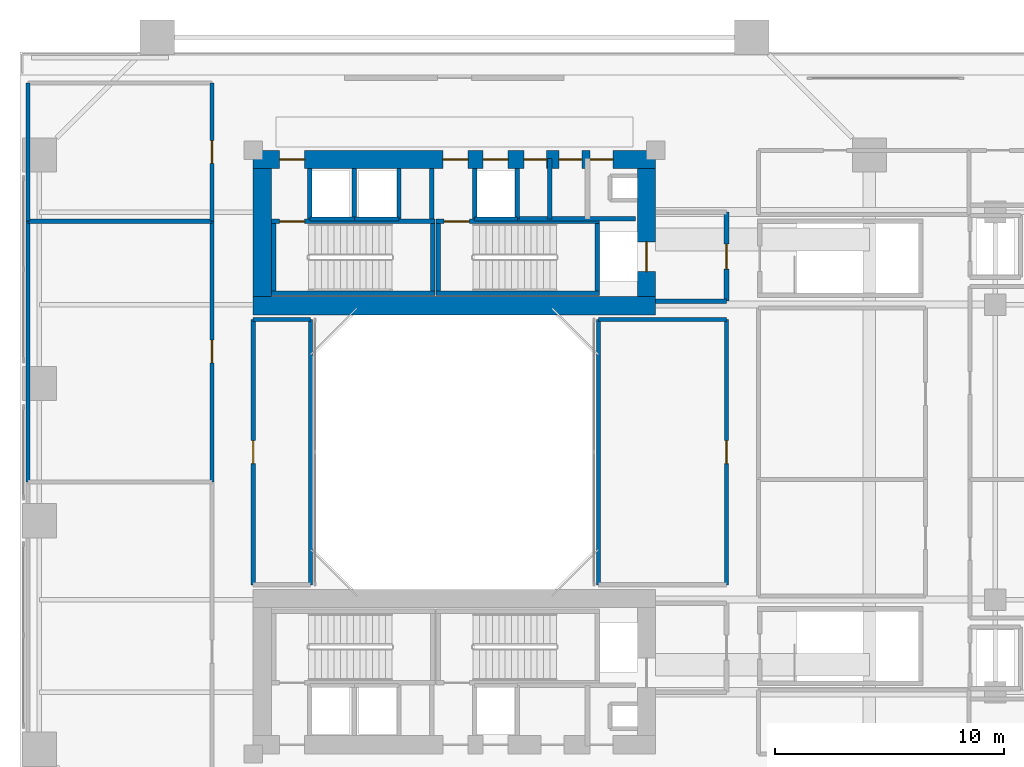
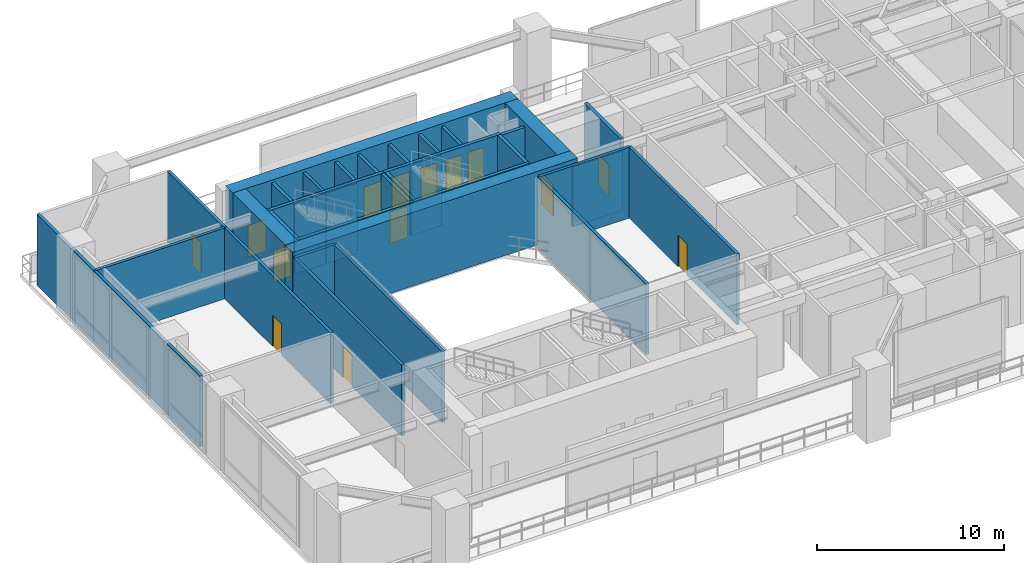
# One storey, part 12 of 19: 36 walls, 14 doors, 14 openings.
"""IFC4 building model written with IfcOpenShell, lengths in metres."""

from ifc_helpers import new_model, si_unit, direction, frame, frame_2d, origin, place, context, subcontext, project, spatial, rectangle, extrude, source, transform, mapped, material, layer, layer_set, type_object, element, fill, save


model = new_model("IFC4")

# Units and contexts
model_context = context("Model", 3, precision=1e-05, world=origin(), true_north=direction((0.0, 1.0)))
body_context = subcontext(model_context, "Body", "Model", "MODEL_VIEW")
ifc_project = project(units=[si_unit("LENGTHUNIT", "METRE"), si_unit("AREAUNIT", "SQUARE_METRE"), si_unit("VOLUMEUNIT", "CUBIC_METRE"), si_unit("PLANEANGLEUNIT", "RADIAN"), si_unit("MASSUNIT", "GRAM", prefix="KILO"), si_unit("THERMODYNAMICTEMPERATUREUNIT", "KELVIN"), si_unit("POWERUNIT", "WATT")], contexts=[model_context])

# Site, building, storey
site_placement = place(None, origin())
site = spatial("IfcSite", under=ifc_project, at=site_placement, CompositionType="ELEMENT")
building_placement = place(site_placement, origin())
building = spatial("IfcBuilding", under=site, at=building_placement, Name="Qiaomeng Ring Towers", CompositionType="ELEMENT")
storey_placement = place(building_placement, frame((0.0, 0.0, 18.199951171875)))
storey = spatial("IfcBuildingStorey", under=building, at=storey_placement, Name="L04", CompositionType="ELEMENT", Elevation=18.199951171875)

# Wall
ifc_material_1 = material(Name="Autoclaved aerated concrete block", Category="concrete")
ifc_layer_1 = layer(ifc_material_1, 0.199951171875, Name="Autoclaved aerated concrete block")
ifc_layer_set_1 = layer_set([ifc_layer_1], Name="Autoclaved aerated concrete block")
wall_type_1 = type_object("IfcWallType", Name="ARC-WL-PW1", PredefinedType="PARTITIONING", material=ifc_layer_set_1)
wall_1_placement = place(storey_placement, frame((27.800048828125, 29.60009765625, 0.0), z_axis=(0.0, 0.0, 1.0), x_axis=(1.0, 0.0, 0.0)))
element("IfcWall", 1, at=wall_1_placement, inside=storey, type_object=wall_type_1, Name="L04 Interior Wall PW1", PredefinedType="PARTITIONING", context=body_context, shape_type="SweptSolid", body=[
    extrude(rectangle(XDim=3.099853515625, YDim=0.199951171875, at=frame_2d((1.5498046875, 0.0))), origin(), (0.0, 0.0, 1.0), 3.9150390625),
])

# Wall, opening, door
wall_2_placement = place(storey_placement, frame((30.89990234375, 29.60009765625, 0.0), z_axis=(0.0, 0.0, 1.0), x_axis=(0.0, 1.0, 0.0)))
wall_2 = element("IfcWall", 2, at=wall_2_placement, inside=storey, type_object=wall_type_1, Name="L04 Interior Wall PW1", PredefinedType="PARTITIONING", context=body_context, shape_type="SweptSolid", body=[
    extrude(rectangle(XDim=3.89990234375, YDim=0.199951171875, at=frame_2d((1.949951171875, 0.0))), origin(), (0.0, 0.0, 1.0), 4.6201171875),
])
opening_1_placement = place(wall_2_placement, frame((1.39990234375, 0.0, 0.0)))
opening_1 = element("IfcOpeningElement", 3, at=opening_1_placement, cuts=wall_2, Name="Opening FD3", PredefinedType="OPENING", context=body_context, shape_type="SweptSolid", body=[
    extrude(rectangle(XDim=1.10009765625, YDim=2.050048828125, at=frame_2d((0.550048828125, 1.02490234375))), frame((0.0, 0.10986328125, 0.0), z_axis=(0.0, -1.0, 0.0), x_axis=(1.0, 0.0, 0.0)), (0.0, 0.0, 1.0), 0.219970703125),
])
ifc_material_2 = material(Name="Galvanised steel", Category="steel")
door_type_1 = type_object("IfcDoorType", Name="ARC-DR-FD3", OperationType="NOTDEFINED", PredefinedType="DOOR", material=ifc_material_2)
shared_shape_1 = source(origin(), body_context, "Body", "SweptSolid", [
    extrude(rectangle(XDim=1.10009765625, YDim=2.050048828125, at=frame_2d((0.550048828125, 1.02490234375))), frame((0.0, 0.02490234375, 0.0), z_axis=(0.0, -1.0, 0.0), x_axis=(1.0, 0.0, 0.0)), (0.0, 0.0, 1.0), 0.050048828125),
])
door_1_placement = place(opening_1_placement, origin())
door_1 = element("IfcDoor", 4, at=door_1_placement, inside=storey, type_object=door_type_1, Name="L04 North FF Lobby Door", OperationType="SINGLE_SWING_LEFT", OverallHeight=2.050048828125, OverallWidth=1.10009765625, PredefinedType="DOOR", context=body_context, shape_type="MappedRepresentation", body=[
    mapped(shared_shape_1, transform((0.0, 0.0, 0.0), x_axis=(1.0, 0.0, 0.0), y_axis=(0.0, 1.0, 0.0), z_axis=(0.0, 0.0, 1.0), scale=1.0)),
])
fill(opening_1, door_1)

# Walls
for number, where, z_axis, x_axis, name in (
    (5, (12.679931640625, 33.18994140625, 0.0), (0.0, 0.0, 1.0), (0.0, 1.0, 0.0), "L04 Interior Wall PW1"),
    (6, (18.0, 33.18994140625, 0.0), (0.0, 0.0, 1.0), (0.0, 1.0, 0.0), "L04 Interior Wall PW1"),
    (7, (19.8798828125, 33.18994140625, 0.0), (0.0, 0.0, 1.0), (0.0, 1.0, 0.0), "L04 Interior Wall PW1"),
):
    element("IfcWall", number, at=place(storey_placement, frame(where, z_axis=z_axis, x_axis=x_axis)), inside=storey, type_object=wall_type_1, Name=name, PredefinedType="PARTITIONING", context=body_context, shape_type="SweptSolid", body=[
        extrude(rectangle(XDim=2.2099609375, YDim=0.199951171875, at=frame_2d((1.10498046875, 0.0))), origin(), (0.0, 0.0, 1.0), 4.6201171875),
    ])
wall_3_placement = place(storey_placement, frame((21.75, 33.199951171875, 0.0), z_axis=(0.0, 0.0, 1.0), x_axis=(0.0, 1.0, 0.0)))
element("IfcWall", 8, at=wall_3_placement, inside=storey, type_object=wall_type_1, Name="L04 Interior Wall PW1", PredefinedType="PARTITIONING", context=body_context, shape_type="SweptSolid", body=[
    extrude(rectangle(XDim=2.199951171875, YDim=0.199951171875, at=frame_2d((1.10009765625, 0.0))), origin(), (0.0, 0.0, 1.0), 4.6201171875),
])
wall_4_placement = place(storey_placement, frame((23.169921875, 33.199951171875, 0.0), z_axis=(0.0, 0.0, 1.0), x_axis=(0.0, 1.0, 0.0)))
element("IfcWall", 9, at=wall_4_placement, inside=storey, type_object=wall_type_1, Name="L04 Interior Wall PW1", PredefinedType="PARTITIONING", context=body_context, shape_type="SweptSolid", body=[
    extrude(rectangle(XDim=2.650146484375, YDim=0.199951171875, at=frame_2d((1.3251953125, 0.0))), origin(), (0.0, 0.0, 1.0), 4.6201171875),
])
wall_5_placement = place(storey_placement, frame((21.75, 33.199951171875, 0.0), z_axis=(0.0, 0.0, 1.0), x_axis=(1.0, 0.0, 0.0)))
element("IfcWall", 10, at=wall_5_placement, inside=storey, type_object=wall_type_1, Name="L04 Interior Wall PW1", PredefinedType="PARTITIONING", context=body_context, shape_type="SweptSolid", body=[
    extrude(rectangle(XDim=5.169921875, YDim=0.199951171875, at=frame_2d((2.5849609375, 0.0))), origin(), (0.0, 0.0, 1.0), 4.6201171875),
])
ifc_layer_2 = layer(ifc_material_1, 0.179931640625, Name="Autoclaved aerated concrete block")
ifc_layer_set_2 = layer_set([ifc_layer_2], Name="Autoclaved aerated concrete block")
wall_type_2 = type_object("IfcWallType", Name="ARC-WL-PW2", PredefinedType="PARTITIONING", material=ifc_layer_set_2)
wall_6_placement = place(storey_placement, frame((0.35009765625, 33.10009765625, 0.0), z_axis=(0.0, 0.0, 1.0), x_axis=(1.0, 0.0, 0.0)))
element("IfcWall", 11, at=wall_6_placement, inside=storey, type_object=wall_type_2, Name="L04 Interior Wall PW2", PredefinedType="PARTITIONING", context=body_context, shape_type="SweptSolid", body=[
    extrude(rectangle(XDim=8.0498046875, YDim=0.179931640625, at=frame_2d((4.02490234375, 0.0))), origin(), (0.0, 0.0, 1.0), 4.6201171875),
])
wall_7_placement = place(storey_placement, frame((0.35009765625, 21.699951171875, 0.0), z_axis=(0.0, 0.0, 1.0), x_axis=(0.0, 1.0, 0.0)))
element("IfcWall", 12, at=wall_7_placement, inside=storey, type_object=wall_type_2, Name="L04 Interior Wall PW2", PredefinedType="PARTITIONING", context=body_context, shape_type="SweptSolid", body=[
    extrude(rectangle(XDim=11.400146484375, YDim=0.179931640625, at=frame_2d((5.7001953125, 0.0))), origin(), (0.0, 0.0, 1.0), 4.6201171875),
])

# Wall, opening, door
wall_8_placement = place(storey_placement, frame((8.39990234375, 21.699951171875, 0.0), z_axis=(0.0, 0.0, 1.0), x_axis=(0.0, 1.0, 0.0)))
wall_8 = element("IfcWall", 13, at=wall_8_placement, inside=storey, type_object=wall_type_2, Name="L04 Interior Wall PW2", PredefinedType="PARTITIONING", context=body_context, shape_type="SweptSolid", body=[
    extrude(rectangle(XDim=11.400146484375, YDim=0.179931640625, at=frame_2d((5.7001953125, 0.0))), origin(), (0.0, 0.0, 1.0), 4.6201171875),
])
opening_2_placement = place(wall_8_placement, frame((5.199951171875, 0.0, 0.0)))
opening_2 = element("IfcOpeningElement", 14, at=opening_2_placement, cuts=wall_8, Name="Opening FD4", PredefinedType="OPENING", context=body_context, shape_type="SweptSolid", body=[
    extrude(rectangle(XDim=1.0, YDim=2.050048828125, at=frame_2d((0.5, 1.02490234375))), frame((0.0, 0.099853515625, 0.0), z_axis=(0.0, -1.0, 0.0), x_axis=(1.0, 0.0, 0.0)), (0.0, 0.0, 1.0), 0.199951171875),
])
ifc_material_3 = material(Name="Engineered fire-rated oak timber", Category="wood")
door_type_2 = type_object("IfcDoorType", Name="ARC-DR-FD4", OperationType="NOTDEFINED", PredefinedType="DOOR", material=ifc_material_3)
shared_shape_2 = source(origin(), body_context, "Body", "SweptSolid", [
    extrude(rectangle(XDim=1.0, YDim=2.050048828125, at=frame_2d((0.5, 1.02490234375))), frame((0.0, 0.02490234375, 0.0), z_axis=(0.0, -1.0, 0.0), x_axis=(1.0, 0.0, 0.0)), (0.0, 0.0, 1.0), 0.050048828125),
])
door_2_placement = place(opening_2_placement, origin())
door_2 = element("IfcDoor", 15, at=door_2_placement, inside=storey, type_object=door_type_2, Name="L04 L04 Specialist Consultation Office Door", OperationType="SINGLE_SWING_RIGHT", OverallHeight=2.050048828125, OverallWidth=1.0, PredefinedType="DOOR", context=body_context, shape_type="MappedRepresentation", body=[
    mapped(shared_shape_2, transform((0.0, 0.0, 0.0), x_axis=(1.0, 0.0, 0.0), y_axis=(0.0, 1.0, 0.0), z_axis=(0.0, 0.0, 1.0), scale=1.0)),
])
fill(opening_2, door_2)

# Wall
wall_9_placement = place(storey_placement, frame((0.35009765625, 33.10009765625, 0.0), z_axis=(0.0, 0.0, 1.0), x_axis=(0.0, 1.0, 0.0)))
element("IfcWall", 16, at=wall_9_placement, inside=storey, type_object=wall_type_2, Name="L04 Interior Wall PW2", PredefinedType="PARTITIONING", context=body_context, shape_type="SweptSolid", body=[
    extrude(rectangle(XDim=6.0498046875, YDim=0.179931640625, at=frame_2d((3.02490234375, 0.0))), origin(), (0.0, 0.0, 1.0), 4.6201171875),
])

# Wall, opening, door
wall_10_placement = place(storey_placement, frame((8.39990234375, 33.10009765625, 0.0), z_axis=(0.0, 0.0, 1.0), x_axis=(0.0, 1.0, 0.0)))
wall_10 = element("IfcWall", 17, at=wall_10_placement, inside=storey, type_object=wall_type_2, Name="L04 Interior Wall PW2", PredefinedType="PARTITIONING", context=body_context, shape_type="SweptSolid", body=[
    extrude(rectangle(XDim=6.0498046875, YDim=0.179931640625, at=frame_2d((3.02490234375, 0.0))), origin(), (0.0, 0.0, 1.0), 4.6201171875),
])
opening_3_placement = place(wall_10_placement, frame((2.52490234375, 0.0, 0.0)))
opening_3 = element("IfcOpeningElement", 18, at=opening_3_placement, cuts=wall_10, Name="Opening FD4", PredefinedType="OPENING", context=body_context, shape_type="SweptSolid", body=[
    extrude(rectangle(XDim=1.0, YDim=2.050048828125, at=frame_2d((0.5, 1.02490234375))), frame((0.0, 0.099853515625, 0.0), z_axis=(0.0, -1.0, 0.0), x_axis=(1.0, 0.0, 0.0)), (0.0, 0.0, 1.0), 0.199951171875),
])
door_3_placement = place(opening_3_placement, origin())
door_3 = element("IfcDoor", 19, at=door_3_placement, inside=storey, type_object=door_type_2, Name="L04 L04 Rehabilitation Physiotherapy Gymnasium Door", OperationType="SINGLE_SWING_LEFT", OverallHeight=2.050048828125, OverallWidth=1.0, PredefinedType="DOOR", context=body_context, shape_type="MappedRepresentation", body=[
    mapped(shared_shape_2, transform((0.0, 0.0, 0.0), x_axis=(1.0, 0.0, 0.0), y_axis=(0.0, 1.0, 0.0), z_axis=(0.0, 0.0, 1.0), scale=1.0)),
])
fill(opening_3, door_3)

# Wall
wall_11_placement = place(storey_placement, frame((10.199951171875, 28.800048828125, 0.0), z_axis=(0.0, 0.0, 1.0), x_axis=(1.0, 0.0, 0.0)))
element("IfcWall", 20, at=wall_11_placement, inside=storey, type_object=wall_type_2, Name="L04 Interior Wall PW2", PredefinedType="PARTITIONING", context=body_context, shape_type="SweptSolid", body=[
    extrude(rectangle(XDim=2.5, YDim=0.179931640625, at=frame_2d((1.25, 0.0))), origin(), (0.0, 0.0, 1.0), 4.6201171875),
])

# Wall, opening, door
wall_12_placement = place(storey_placement, frame((10.199951171875, 17.199951171875, 0.0), z_axis=(0.0, 0.0, 1.0), x_axis=(0.0, 1.0, 0.0)))
wall_12 = element("IfcWall", 21, at=wall_12_placement, inside=storey, type_object=wall_type_2, Name="L04 Interior Wall PW2", PredefinedType="PARTITIONING", context=body_context, shape_type="SweptSolid", body=[
    extrude(rectangle(XDim=11.60009765625, YDim=0.179931640625, at=frame_2d((5.800048828125, 0.0))), origin(), (0.0, 0.0, 1.0), 4.6201171875),
])
opening_4_placement = place(wall_12_placement, frame((5.300048828125, 0.0, 0.0)))
opening_4 = element("IfcOpeningElement", 22, at=opening_4_placement, cuts=wall_12, Name="Opening FD4", PredefinedType="OPENING", context=body_context, shape_type="SweptSolid", body=[
    extrude(rectangle(XDim=1.0, YDim=2.050048828125, at=frame_2d((0.5, 1.02490234375))), frame((0.0, 0.099853515625, 0.0), z_axis=(0.0, -1.0, 0.0), x_axis=(1.0, 0.0, 0.0)), (0.0, 0.0, 1.0), 0.199951171875),
])
door_4_placement = place(opening_4_placement, origin())
door_4 = element("IfcDoor", 23, at=door_4_placement, inside=storey, type_object=door_type_2, Name="L04 L04 Internal Medicine Suite Door", OperationType="SINGLE_SWING_RIGHT", OverallHeight=2.050048828125, OverallWidth=1.0, PredefinedType="DOOR", context=body_context, shape_type="MappedRepresentation", body=[
    mapped(shared_shape_2, transform((0.0, 0.0, 0.0), x_axis=(1.0, 0.0, 0.0), y_axis=(0.0, 1.0, 0.0), z_axis=(0.0, 0.0, 1.0), scale=1.0)),
])
fill(opening_4, door_4)

# Walls
wall_13_placement = place(storey_placement, frame((12.699951171875, 17.199951171875, 0.0), z_axis=(0.0, 0.0, 1.0), x_axis=(0.0, 1.0, 0.0)))
element("IfcWall", 24, at=wall_13_placement, inside=storey, type_object=wall_type_2, Name="L04 Interior Wall PW2", PredefinedType="PARTITIONING", context=body_context, shape_type="SweptSolid", body=[
    extrude(rectangle(XDim=11.60009765625, YDim=0.179931640625, at=frame_2d((5.800048828125, 0.0))), origin(), (0.0, 0.0, 1.0), 4.6201171875),
])
wall_14_placement = place(storey_placement, frame((25.300048828125, 28.800048828125, 0.0), z_axis=(0.0, 0.0, 1.0), x_axis=(1.0, 0.0, 0.0)))
element("IfcWall", 25, at=wall_14_placement, inside=storey, type_object=wall_type_2, Name="L04 Interior Wall PW2", PredefinedType="PARTITIONING", context=body_context, shape_type="SweptSolid", body=[
    extrude(rectangle(XDim=5.599853515625, YDim=0.179931640625, at=frame_2d((2.7998046875, 0.0))), origin(), (0.0, 0.0, 1.0), 4.6201171875),
])
wall_15_placement = place(storey_placement, frame((25.300048828125, 17.199951171875, 0.0), z_axis=(0.0, 0.0, 1.0), x_axis=(0.0, 1.0, 0.0)))
element("IfcWall", 26, at=wall_15_placement, inside=storey, type_object=wall_type_2, Name="L04 Interior Wall PW2", PredefinedType="PARTITIONING", context=body_context, shape_type="SweptSolid", body=[
    extrude(rectangle(XDim=11.60009765625, YDim=0.179931640625, at=frame_2d((5.800048828125, 0.0))), origin(), (0.0, 0.0, 1.0), 4.6201171875),
])

# Wall, opening, door
wall_16_placement = place(storey_placement, frame((30.89990234375, 17.199951171875, 0.0), z_axis=(0.0, 0.0, 1.0), x_axis=(0.0, 1.0, 0.0)))
wall_16 = element("IfcWall", 27, at=wall_16_placement, inside=storey, type_object=wall_type_2, Name="L04 Interior Wall PW2", PredefinedType="PARTITIONING", context=body_context, shape_type="SweptSolid", body=[
    extrude(rectangle(XDim=11.60009765625, YDim=0.179931640625, at=frame_2d((5.800048828125, 0.0))), origin(), (0.0, 0.0, 1.0), 4.6201171875),
])
opening_5_placement = place(wall_16_placement, frame((5.300048828125, 0.0, 0.0)))
opening_5 = element("IfcOpeningElement", 28, at=opening_5_placement, cuts=wall_16, Name="Opening FD4", PredefinedType="OPENING", context=body_context, shape_type="SweptSolid", body=[
    extrude(rectangle(XDim=1.0, YDim=2.050048828125, at=frame_2d((0.5, 1.02490234375))), frame((0.0, 0.099853515625, 0.0), z_axis=(0.0, -1.0, 0.0), x_axis=(1.0, 0.0, 0.0)), (0.0, 0.0, 1.0), 0.199951171875),
])
door_5_placement = place(opening_5_placement, origin())
door_5 = element("IfcDoor", 29, at=door_5_placement, inside=storey, type_object=door_type_2, Name="L04 L04 Traditional Medicine Clinic Door", OperationType="SINGLE_SWING_LEFT", OverallHeight=2.050048828125, OverallWidth=1.0, PredefinedType="DOOR", context=body_context, shape_type="MappedRepresentation", body=[
    mapped(shared_shape_2, transform((0.0, 0.0, 0.0), x_axis=(1.0, 0.0, 0.0), y_axis=(0.0, 1.0, 0.0), z_axis=(0.0, 0.0, 1.0), scale=1.0)),
])
fill(opening_5, door_5)

# Walls
ifc_material_4 = material(Name="Concrete C40", Category="concrete")
ifc_layer_3 = layer(ifc_material_4, 0.199951171875, Name="Concrete C40")
ifc_layer_set_3 = layer_set([ifc_layer_3], Name="Concrete C40")
wall_type_3 = type_object("IfcWallType", Name="STR-WL-STSHAFT", PredefinedType="SHEAR", material=ifc_layer_set_3)
wall_17_placement = place(storey_placement, frame((12.679931640625, 33.199951171875, 0.0), z_axis=(0.0, 0.0, 1.0), x_axis=(1.0, 0.0, 0.0)))
element("IfcWall", 30, at=wall_17_placement, inside=storey, type_object=wall_type_3, Name="L04 Lift LP5 Shaft Back Wall", PredefinedType="SHEAR", context=body_context, shape_type="SweptSolid", body=[
    extrude(rectangle(XDim=1.940185546875, YDim=0.179931640625, at=frame_2d((0.97021484375, 0.0))), origin(), (0.0, 0.0, 1.0), 4.6201171875),
])
wall_18_placement = place(storey_placement, frame((14.6201171875, 33.199951171875, 0.0), z_axis=(0.0, 0.0, 1.0), x_axis=(0.0, 1.0, 0.0)))
element("IfcWall", 31, at=wall_18_placement, inside=storey, type_object=wall_type_3, Name="L04 Lift LP5-LP3 Shaft Divider Wall", PredefinedType="SHEAR", context=body_context, shape_type="SweptSolid", body=[
    extrude(rectangle(XDim=2.199951171875, YDim=0.179931640625, at=frame_2d((1.10009765625, 0.0))), origin(), (0.0, 0.0, 1.0), 4.6201171875),
])
wall_19_placement = place(storey_placement, frame((14.6201171875, 33.199951171875, 0.0), z_axis=(0.0, 0.0, 1.0), x_axis=(1.0, 0.0, 0.0)))
element("IfcWall", 32, at=wall_19_placement, inside=storey, type_object=wall_type_3, Name="L04 Lift LP3 Shaft Back Wall", PredefinedType="SHEAR", context=body_context, shape_type="SweptSolid", body=[
    extrude(rectangle(XDim=1.9599609375, YDim=0.179931640625, at=frame_2d((0.97998046875, 0.0))), origin(), (0.0, 0.0, 1.0), 4.6201171875),
])
wall_20_placement = place(storey_placement, frame((16.580078125, 33.199951171875, 0.0), z_axis=(0.0, 0.0, 1.0), x_axis=(0.0, 1.0, 0.0)))
element("IfcWall", 33, at=wall_20_placement, inside=storey, type_object=wall_type_3, Name="L04 Lift LP3 East Shaft Wall", PredefinedType="SHEAR", context=body_context, shape_type="SweptSolid", body=[
    extrude(rectangle(XDim=2.199951171875, YDim=0.179931640625, at=frame_2d((1.10009765625, 0.0))), origin(), (0.0, 0.0, 1.0), 4.6201171875),
])
wall_21_placement = place(storey_placement, frame((19.8798828125, 33.199951171875, 0.0), z_axis=(0.0, 0.0, 1.0), x_axis=(1.0, 0.0, 0.0)))
element("IfcWall", 34, at=wall_21_placement, inside=storey, type_object=wall_type_3, Name="L04 Lift LP1 Shaft Back Wall", PredefinedType="SHEAR", context=body_context, shape_type="SweptSolid", body=[
    extrude(rectangle(XDim=1.8701171875, YDim=0.179931640625, at=frame_2d((0.93505859375, 0.0))), origin(), (0.0, 0.0, 1.0), 4.6201171875),
])
wall_22_placement = place(storey_placement, frame((11.0, 29.949951171875, 0.0), z_axis=(0.0, 0.0, 1.0), x_axis=(1.0, 0.0, 0.0)))
element("IfcWall", 35, at=wall_22_placement, inside=storey, type_object=wall_type_3, Name="L04 Stair ST1 South Shaft Shear Wall", PredefinedType="SHEAR", context=body_context, shape_type="SweptSolid", body=[
    extrude(rectangle(XDim=7.14990234375, YDim=0.199951171875, at=frame_2d((3.574951171875, 0.0))), origin(), (0.0, 0.0, 1.0), 4.800048828125),
])

# Wall, opening, door
wall_23_placement = place(storey_placement, frame((11.0, 33.090087890625, 0.0), z_axis=(0.0, 0.0, 1.0), x_axis=(1.0, 0.0, 0.0)))
wall_23 = element("IfcWall", 36, at=wall_23_placement, inside=storey, type_object=wall_type_3, Name="L04 Stair ST1 North Shaft Shear Wall", PredefinedType="SHEAR", context=body_context, shape_type="SweptSolid", body=[
    extrude(rectangle(XDim=7.14990234375, YDim=0.199951171875, at=frame_2d((3.574951171875, 0.0))), origin(), (0.0, 0.0, 1.0), 4.800048828125),
])
opening_6_placement = place(wall_23_placement, frame((0.35009765625, 0.0, 0.0)))
opening_6 = element("IfcOpeningElement", 37, at=opening_6_placement, cuts=wall_23, Name="Opening FD3", PredefinedType="OPENING", context=body_context, shape_type="SweptSolid", body=[
    extrude(rectangle(XDim=1.10009765625, YDim=2.050048828125, at=frame_2d((0.550048828125, 1.02490234375))), frame((0.0, 0.10986328125, 0.0), z_axis=(0.0, -1.0, 0.0), x_axis=(1.0, 0.0, 0.0)), (0.0, 0.0, 1.0), 0.219970703125),
])
door_6_placement = place(opening_6_placement, origin())
door_6 = element("IfcDoor", 38, at=door_6_placement, inside=storey, type_object=door_type_1, Name="L04 Stair ST1 Exit Door", OperationType="SINGLE_SWING_RIGHT", OverallHeight=2.050048828125, OverallWidth=1.10009765625, PredefinedType="DOOR", context=body_context, shape_type="MappedRepresentation", body=[
    mapped(shared_shape_1, transform((0.0, 0.0, 0.0), x_axis=(1.0, 0.0, 0.0), y_axis=(0.0, 1.0, 0.0), z_axis=(0.0, 0.0, 1.0), scale=1.0)),
])
fill(opening_6, door_6)

# Walls
for number, where, z_axis, x_axis, name in (
    (39, (11.10009765625, 30.050048828125, 0.0), (0.0, 0.0, 1.0), (0.0, 1.0, 0.0), "L04 Stair ST1 West Shaft Shear Wall"),
    (40, (18.050048828125, 30.050048828125, 0.0), (0.0, 0.0, 1.0), (0.0, 1.0, 0.0), "L04 Stair ST1 East Shaft Shear Wall"),
):
    element("IfcWall", number, at=place(storey_placement, frame(where, z_axis=z_axis, x_axis=x_axis)), inside=storey, type_object=wall_type_3, Name=name, PredefinedType="SHEAR", context=body_context, shape_type="SweptSolid", body=[
        extrude(rectangle(XDim=2.93994140625, YDim=0.199951171875, at=frame_2d((1.469970703125, 0.0))), origin(), (0.0, 0.0, 1.0), 4.800048828125),
    ])
wall_24_placement = place(storey_placement, frame((18.199951171875, 29.949951171875, 0.0), z_axis=(0.0, 0.0, 1.0), x_axis=(1.0, 0.0, 0.0)))
element("IfcWall", 41, at=wall_24_placement, inside=storey, type_object=wall_type_3, Name="L04 Stair ST2 South Shaft Shear Wall", PredefinedType="SHEAR", context=body_context, shape_type="SweptSolid", body=[
    extrude(rectangle(XDim=7.150146484375, YDim=0.199951171875, at=frame_2d((3.5751953125, 0.0))), origin(), (0.0, 0.0, 1.0), 4.800048828125),
])

# Wall, opening, door
wall_25_placement = place(storey_placement, frame((18.199951171875, 33.090087890625, 0.0), z_axis=(0.0, 0.0, 1.0), x_axis=(1.0, 0.0, 0.0)))
wall_25 = element("IfcWall", 42, at=wall_25_placement, inside=storey, type_object=wall_type_3, Name="L04 Stair ST2 North Shaft Shear Wall", PredefinedType="SHEAR", context=body_context, shape_type="SweptSolid", body=[
    extrude(rectangle(XDim=7.150146484375, YDim=0.199951171875, at=frame_2d((3.5751953125, 0.0))), origin(), (0.0, 0.0, 1.0), 4.800048828125),
])
opening_7_placement = place(wall_25_placement, frame((0.35009765625, 0.0, 0.0)))
opening_7 = element("IfcOpeningElement", 43, at=opening_7_placement, cuts=wall_25, Name="Opening FD3", PredefinedType="OPENING", context=body_context, shape_type="SweptSolid", body=[
    extrude(rectangle(XDim=1.10009765625, YDim=2.050048828125, at=frame_2d((0.550048828125, 1.02490234375))), frame((0.0, 0.10986328125, 0.0), z_axis=(0.0, -1.0, 0.0), x_axis=(1.0, 0.0, 0.0)), (0.0, 0.0, 1.0), 0.219970703125),
])
door_7_placement = place(opening_7_placement, origin())
door_7 = element("IfcDoor", 44, at=door_7_placement, inside=storey, type_object=door_type_1, Name="L04 Stair ST2 Exit Door", OperationType="SINGLE_SWING_RIGHT", OverallHeight=2.050048828125, OverallWidth=1.10009765625, PredefinedType="DOOR", context=body_context, shape_type="MappedRepresentation", body=[
    mapped(shared_shape_1, transform((0.0, 0.0, 0.0), x_axis=(1.0, 0.0, 0.0), y_axis=(0.0, 1.0, 0.0), z_axis=(0.0, 0.0, 1.0), scale=1.0)),
])
fill(opening_7, door_7)

# Walls
for number, where, z_axis, x_axis, name in (
    (45, (18.300048828125, 30.050048828125, 0.0), (0.0, 0.0, 1.0), (0.0, 1.0, 0.0), "L04 Stair ST2 West Shaft Shear Wall"),
    (46, (25.25, 30.050048828125, 0.0), (0.0, 0.0, 1.0), (0.0, 1.0, 0.0), "L04 Stair ST2 East Shaft Shear Wall"),
):
    element("IfcWall", number, at=place(storey_placement, frame(where, z_axis=z_axis, x_axis=x_axis)), inside=storey, type_object=wall_type_3, Name=name, PredefinedType="SHEAR", context=body_context, shape_type="SweptSolid", body=[
        extrude(rectangle(XDim=2.93994140625, YDim=0.199951171875, at=frame_2d((1.469970703125, 0.0))), origin(), (0.0, 0.0, 1.0), 4.800048828125),
    ])
ifc_material_5 = material(Name="Concrete C60", Category="concrete")
ifc_layer_4 = layer(ifc_material_5, 0.800048828125, Name="Concrete C60")
ifc_layer_set_4 = layer_set([ifc_layer_4], Name="Concrete C60")
wall_type_4 = type_object("IfcWallType", Name="STR-WL-SW1", PredefinedType="SHEAR", material=ifc_layer_set_4)
wall_26_placement = place(storey_placement, frame((10.199951171875, 29.39990234375, 0.0), z_axis=(0.0, 0.0, 1.0), x_axis=(1.0, 0.0, 0.0)))
element("IfcWall", 47, at=wall_26_placement, inside=storey, type_object=wall_type_4, Name="L04 T1NC south core shear wall", PredefinedType="SHEAR", context=body_context, shape_type="SweptSolid", body=[
    extrude(rectangle(XDim=17.60009765625, YDim=0.800048828125, at=frame_2d((8.800048828125, 0.0))), origin(), (0.0, 0.0, 1.0), 4.800048828125),
])

# Wall, openings, doors
wall_27_placement = place(storey_placement, frame((10.199951171875, 35.800048828125, 0.0), z_axis=(0.0, 0.0, 1.0), x_axis=(1.0, 0.0, 0.0)))
wall_27 = element("IfcWall", 48, at=wall_27_placement, inside=storey, type_object=wall_type_4, Name="L04 T1NC north core shear wall", PredefinedType="SHEAR", context=body_context, shape_type="SweptSolid", body=[
    extrude(rectangle(XDim=17.60009765625, YDim=0.800048828125, at=frame_2d((8.800048828125, 0.0))), origin(), (0.0, 0.0, 1.0), 4.800048828125),
])
opening_8_placement = place(wall_27_placement, frame((1.14990234375, 0.0, 0.0)))
opening_8 = element("IfcOpeningElement", 49, at=opening_8_placement, cuts=wall_27, Name="Opening FD3", PredefinedType="OPENING", context=body_context, shape_type="SweptSolid", body=[
    extrude(rectangle(XDim=1.10009765625, YDim=2.050048828125, at=frame_2d((0.550048828125, 1.02490234375))), frame((0.0, 0.409912109375, 0.0), z_axis=(0.0, -1.0, 0.0), x_axis=(1.0, 0.0, 0.0)), (0.0, 0.0, 1.0), 0.820068359375),
])
opening_9_placement = place(wall_27_placement, frame((8.300048828125, 0.0, 0.0)))
opening_9 = element("IfcOpeningElement", 50, at=opening_9_placement, cuts=wall_27, Name="Opening FD3", PredefinedType="OPENING", context=body_context, shape_type="SweptSolid", body=[
    extrude(rectangle(XDim=1.10009765625, YDim=2.050048828125, at=frame_2d((0.550048828125, 1.02490234375))), frame((0.0, 0.409912109375, 0.0), z_axis=(0.0, -1.0, 0.0), x_axis=(1.0, 0.0, 0.0)), (0.0, 0.0, 1.0), 0.820068359375),
])
opening_10_placement = place(wall_27_placement, frame((10.050048828125, 0.0, 0.0)))
opening_10 = element("IfcOpeningElement", 51, at=opening_10_placement, cuts=wall_27, Name="Opening LD1", PredefinedType="OPENING", context=body_context, shape_type="SweptSolid", body=[
    extrude(rectangle(XDim=1.10009765625, YDim=2.050048828125, at=frame_2d((0.550048828125, 1.02490234375))), frame((0.0, 0.409912109375, 0.0), z_axis=(0.0, -1.0, 0.0), x_axis=(1.0, 0.0, 0.0)), (0.0, 0.0, 1.0), 0.820068359375),
])
opening_11_placement = place(wall_27_placement, frame((14.739990234375, 0.0, 0.0)))
opening_11 = element("IfcOpeningElement", 52, at=opening_11_placement, cuts=wall_27, Name="Opening FD1", PredefinedType="OPENING", context=body_context, shape_type="SweptSolid", body=[
    extrude(rectangle(XDim=1.0, YDim=2.050048828125, at=frame_2d((0.5, 1.02490234375))), frame((0.0, 0.409912109375, 0.0), z_axis=(0.0, -1.0, 0.0), x_axis=(1.0, 0.0, 0.0)), (0.0, 0.0, 1.0), 0.820068359375),
])
opening_12_placement = place(wall_27_placement, frame((11.8349609375, 0.0, 0.0)))
opening_12 = element("IfcOpeningElement", 53, at=opening_12_placement, cuts=wall_27, Name="Opening FD1", PredefinedType="OPENING", context=body_context, shape_type="SweptSolid", body=[
    extrude(rectangle(XDim=1.0, YDim=2.050048828125, at=frame_2d((0.5, 1.02490234375))), frame((0.0, 0.409912109375, 0.0), z_axis=(0.0, -1.0, 0.0), x_axis=(1.0, 0.0, 0.0)), (0.0, 0.0, 1.0), 0.820068359375),
])
opening_13_placement = place(wall_27_placement, frame((13.3701171875, 0.0, 0.0)))
opening_13 = element("IfcOpeningElement", 54, at=opening_13_placement, cuts=wall_27, Name="Opening FD1", PredefinedType="OPENING", context=body_context, shape_type="SweptSolid", body=[
    extrude(rectangle(XDim=1.0, YDim=2.050048828125, at=frame_2d((0.5, 1.02490234375))), frame((0.0, 0.409912109375, 0.0), z_axis=(0.0, -1.0, 0.0), x_axis=(1.0, 0.0, 0.0)), (0.0, 0.0, 1.0), 0.820068359375),
])
door_8_placement = place(opening_8_placement, origin())
door_8 = element("IfcDoor", 55, at=door_8_placement, inside=storey, type_object=door_type_1, Name="L04 Stair ST1 Lobby Door", OperationType="SINGLE_SWING_LEFT", OverallHeight=2.050048828125, OverallWidth=1.10009765625, PredefinedType="DOOR", context=body_context, shape_type="MappedRepresentation", body=[
    mapped(shared_shape_1, transform((0.0, 0.0, 0.0), x_axis=(1.0, 0.0, 0.0), y_axis=(0.0, 1.0, 0.0), z_axis=(0.0, 0.0, 1.0), scale=1.0)),
])
fill(opening_8, door_8)
door_9_placement = place(opening_9_placement, origin())
door_9 = element("IfcDoor", 56, at=door_9_placement, inside=storey, type_object=door_type_1, Name="L04 Stair ST2 Lobby Door", OperationType="SINGLE_SWING_LEFT", OverallHeight=2.050048828125, OverallWidth=1.10009765625, PredefinedType="DOOR", context=body_context, shape_type="MappedRepresentation", body=[
    mapped(shared_shape_1, transform((0.0, 0.0, 0.0), x_axis=(1.0, 0.0, 0.0), y_axis=(0.0, 1.0, 0.0), z_axis=(0.0, 0.0, 1.0), scale=1.0)),
])
fill(opening_9, door_9)
ifc_material_6 = material(Name="Stainless steel 316", Category="steel")
door_type_3 = type_object("IfcDoorType", Name="ARC-DR-LD1", OperationType="NOTDEFINED", PredefinedType="DOOR", material=ifc_material_6)
door_10_placement = place(opening_10_placement, origin())
door_10 = element("IfcDoor", 57, at=door_10_placement, inside=storey, type_object=door_type_3, Name="L04 Low-Zone Lift LP1 Landing Door", OperationType="SLIDING_TO_LEFT", OverallHeight=2.050048828125, OverallWidth=1.10009765625, PredefinedType="DOOR", context=body_context, shape_type="MappedRepresentation", body=[
    mapped(shared_shape_1, transform((0.0, 0.0, 0.0), x_axis=(1.0, 0.0, 0.0), y_axis=(0.0, 1.0, 0.0), z_axis=(0.0, 0.0, 1.0), scale=1.0)),
])
fill(opening_10, door_10)
door_type_4 = type_object("IfcDoorType", Name="ARC-DR-FD1", OperationType="NOTDEFINED", PredefinedType="DOOR", material=ifc_material_2)
door_11_placement = place(opening_11_placement, origin())
door_11 = element("IfcDoor", 58, at=door_11_placement, inside=storey, type_object=door_type_4, Name="L04 North Electrical Riser Door", OperationType="SINGLE_SWING_LEFT", OverallHeight=2.050048828125, OverallWidth=1.0, PredefinedType="DOOR", context=body_context, shape_type="MappedRepresentation", body=[
    mapped(shared_shape_2, transform((0.0, 0.0, 0.0), x_axis=(1.0, 0.0, 0.0), y_axis=(0.0, 1.0, 0.0), z_axis=(0.0, 0.0, 1.0), scale=1.0)),
])
fill(opening_11, door_11)
door_12_placement = place(opening_12_placement, origin())
door_12 = element("IfcDoor", 59, at=door_12_placement, inside=storey, type_object=door_type_4, Name="L04 North Cleaners Store Door", OperationType="SINGLE_SWING_LEFT", OverallHeight=2.050048828125, OverallWidth=1.0, PredefinedType="DOOR", context=body_context, shape_type="MappedRepresentation", body=[
    mapped(shared_shape_2, transform((0.0, 0.0, 0.0), x_axis=(1.0, 0.0, 0.0), y_axis=(0.0, 1.0, 0.0), z_axis=(0.0, 0.0, 1.0), scale=1.0)),
])
fill(opening_12, door_12)
door_13_placement = place(opening_13_placement, origin())
door_13 = element("IfcDoor", 60, at=door_13_placement, inside=storey, type_object=door_type_4, Name="L04 North Beverage Pantry Door", OperationType="SINGLE_SWING_RIGHT", OverallHeight=2.050048828125, OverallWidth=1.0, PredefinedType="DOOR", context=body_context, shape_type="MappedRepresentation", body=[
    mapped(shared_shape_2, transform((0.0, 0.0, 0.0), x_axis=(1.0, 0.0, 0.0), y_axis=(0.0, 1.0, 0.0), z_axis=(0.0, 0.0, 1.0), scale=1.0)),
])
fill(opening_13, door_13)

# Wall
wall_28_placement = place(storey_placement, frame((10.60009765625, 29.800048828125, 0.0), z_axis=(0.0, 0.0, 1.0), x_axis=(0.0, 1.0, 0.0)))
element("IfcWall", 61, at=wall_28_placement, inside=storey, type_object=wall_type_4, Name="L04 T1NC west core shear wall", PredefinedType="SHEAR", context=body_context, shape_type="SweptSolid", body=[
    extrude(rectangle(XDim=5.599853515625, YDim=0.800048828125, at=frame_2d((2.7998046875, 0.0))), origin(), (0.0, 0.0, 1.0), 4.800048828125),
])

# Wall, opening, door
wall_29_placement = place(storey_placement, frame((27.39990234375, 29.800048828125, 0.0), z_axis=(0.0, 0.0, 1.0), x_axis=(0.0, 1.0, 0.0)))
wall_29 = element("IfcWall", 62, at=wall_29_placement, inside=storey, type_object=wall_type_4, Name="L04 T1NC east core shear wall", PredefinedType="SHEAR", context=body_context, shape_type="SweptSolid", body=[
    extrude(rectangle(XDim=5.599853515625, YDim=0.800048828125, at=frame_2d((2.7998046875, 0.0))), origin(), (0.0, 0.0, 1.0), 4.800048828125),
])
opening_14_placement = place(wall_29_placement, frame((1.10009765625, 0.0, 0.0)))
opening_14 = element("IfcOpeningElement", 63, at=opening_14_placement, cuts=wall_29, Name="Opening LD2", PredefinedType="OPENING", context=body_context, shape_type="SweptSolid", body=[
    extrude(rectangle(XDim=1.300048828125, YDim=2.050048828125, at=frame_2d((0.64990234375, 1.02490234375))), frame((0.0, 0.409912109375, 0.0), z_axis=(0.0, -1.0, 0.0), x_axis=(1.0, 0.0, 0.0)), (0.0, 0.0, 1.0), 0.820068359375),
])
door_type_5 = type_object("IfcDoorType", Name="ARC-DR-LD2", OperationType="NOTDEFINED", PredefinedType="DOOR", material=ifc_material_6)
shared_shape_3 = source(origin(), body_context, "Body", "SweptSolid", [
    extrude(rectangle(XDim=1.300048828125, YDim=2.050048828125, at=frame_2d((0.64990234375, 1.02490234375))), frame((0.0, 0.02490234375, 0.0), z_axis=(0.0, -1.0, 0.0), x_axis=(1.0, 0.0, 0.0)), (0.0, 0.0, 1.0), 0.050048828125),
])
door_14_placement = place(opening_14_placement, origin())
door_14 = element("IfcDoor", 64, at=door_14_placement, inside=storey, type_object=door_type_5, Name="L04 Firefighting Lift FL1 Landing Door", OperationType="SLIDING_TO_LEFT", OverallHeight=2.050048828125, OverallWidth=1.300048828125, PredefinedType="DOOR", context=body_context, shape_type="MappedRepresentation", body=[
    mapped(shared_shape_3, transform((0.0, 0.0, 0.0), x_axis=(1.0, 0.0, 0.0), y_axis=(0.0, 1.0, 0.0), z_axis=(0.0, 0.0, 1.0), scale=1.0)),
])
fill(opening_14, door_14)

save(model, "model.ifc")
